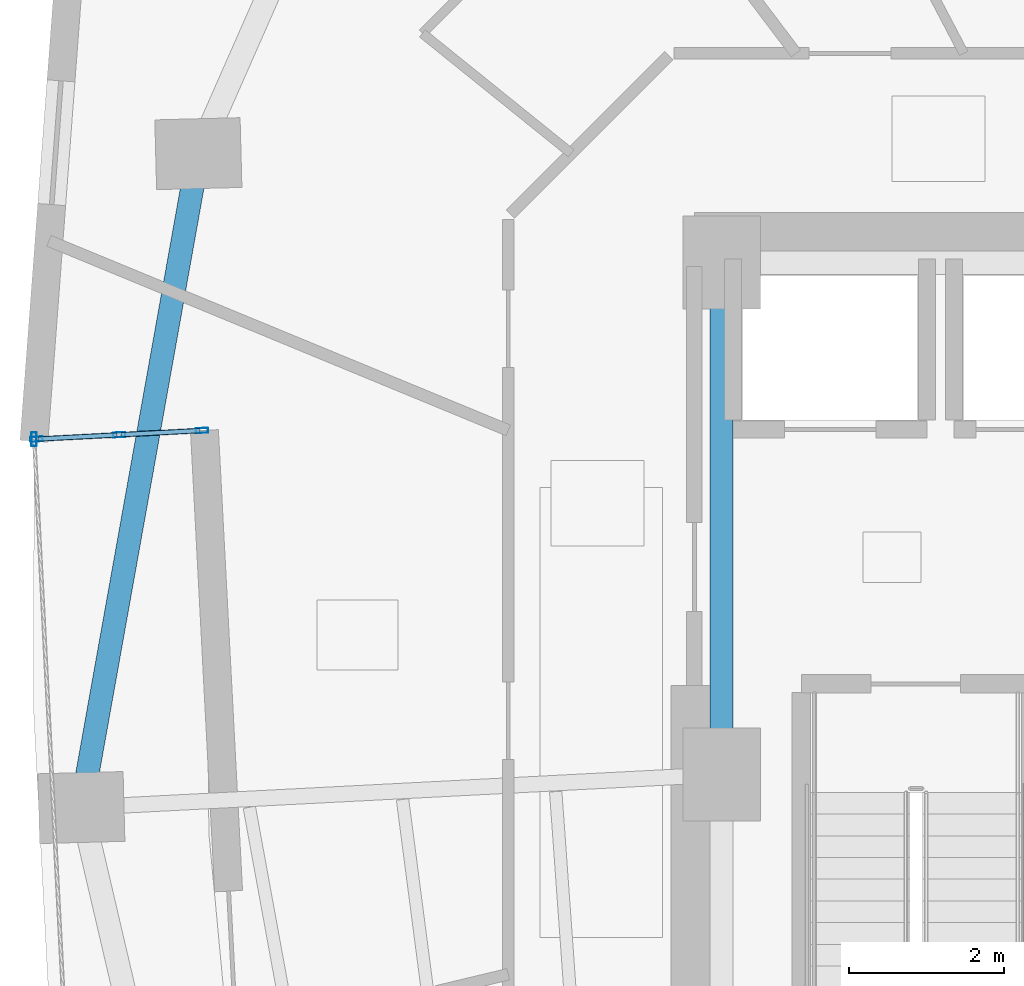
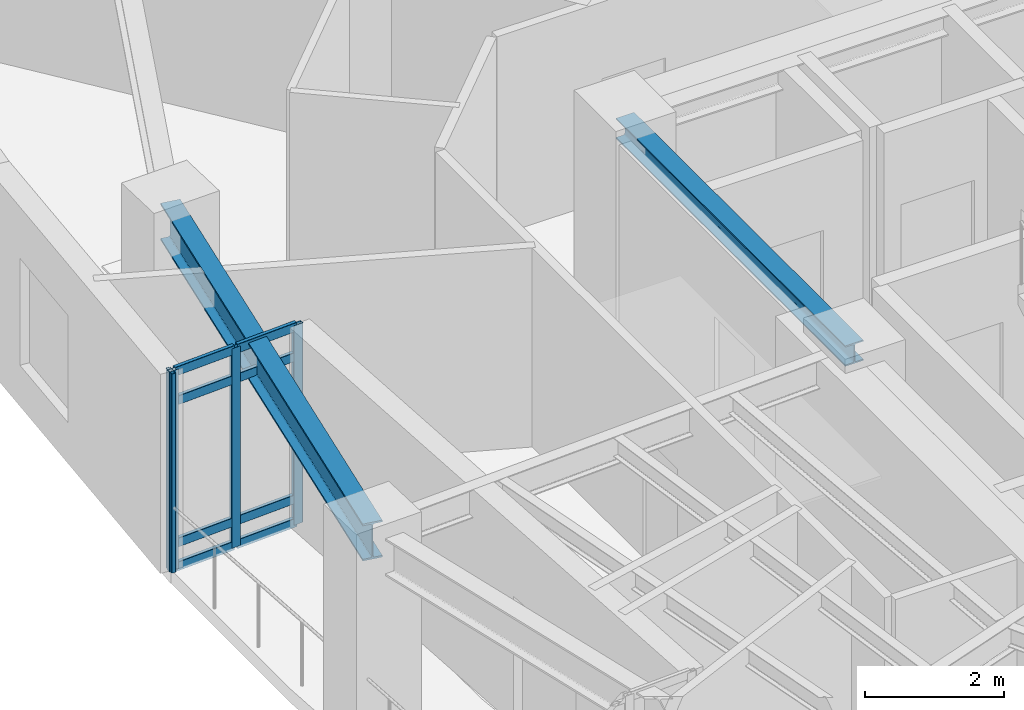
# One storey, part 3 of 12: 12 members, 2 beams, 1 element without a shape of its own.
"""IFC4 building model written with IfcOpenShell, lengths in metres."""

from ifc_helpers import new_model, si_unit, direction, frame, origin, origin_2d, place, context, subcontext, project, spatial, hollow_rectangle, i_section, extrude, material, layer, layer_set, material_profile, profile_set, type_object, element, aggregate, save


model = new_model("IFC4")

# Units and contexts
model_context = context("Model", 3, precision=1e-05, world=origin(), true_north=direction((0.0, 1.0)))
body_context = subcontext(model_context, "Body", "Model", "MODEL_VIEW")
ifc_project = project(units=[si_unit("LENGTHUNIT", "METRE"), si_unit("AREAUNIT", "SQUARE_METRE"), si_unit("VOLUMEUNIT", "CUBIC_METRE"), si_unit("PLANEANGLEUNIT", "RADIAN"), si_unit("MASSUNIT", "GRAM", prefix="KILO")], contexts=[model_context])

# Site, building, storey
site_placement = place(None, origin())
site = spatial("IfcSite", under=ifc_project, at=site_placement, CompositionType="ELEMENT")
building_placement = place(site_placement, origin())
building = spatial("IfcBuilding", under=site, at=building_placement, Name="Ndelora Gate Hotel", CompositionType="ELEMENT")
storey_placement = place(building_placement, frame((0.0, 0.0, 131.0)))
storey = spatial("IfcBuildingStorey", under=building, at=storey_placement, Name="L32", CompositionType="ELEMENT", Elevation=131.0)

# Beams
ifc_material_1 = material(Name="Steel S355", Category="steel")
ifc_material_profile_1 = material_profile(ifc_material_1, i_section(OverallWidth=0.300048828125, OverallDepth=0.360107421875, WebThickness=0.012451171875, FlangeThickness=0.0224609375, FilletRadius=0.027099609375, at=origin_2d()), Name="HEB 360")
ifc_profile_set_1 = profile_set([ifc_material_profile_1], Name="Steel S355")
beam_type_1 = type_object("IfcBeamType", Name="BM-CORE-360", PredefinedType="BEAM", material=ifc_profile_set_1)
beam_1_placement = place(storey_placement, frame((-8.0, 0.0, 3.320068359375), z_axis=(0.0, 1.0, 0.0), x_axis=(-1.0, 0.0, 0.0)))
element("IfcBeam", 1, at=beam_1_placement, inside=storey, type_object=beam_type_1, Name="L32 Core Tie Girder CC8-CC7", PredefinedType="BEAM", context=body_context, shape_type="SweptSolid", body=[
    extrude(i_section(OverallWidth=0.300048828125, OverallDepth=0.360107421875, WebThickness=0.012451171875, FlangeThickness=0.0224609375, FilletRadius=0.027099609375, at=origin_2d()), origin(), (0.0, 0.0, 1.0), 6.60009765625),
])
ifc_material_profile_2 = material_profile(ifc_material_1, i_section(OverallWidth=0.300048828125, OverallDepth=0.64990234375, WebThickness=0.01611328125, FlangeThickness=0.031005859375, FilletRadius=0.027099609375, at=origin_2d()), Name="HEB 650")
ifc_profile_set_2 = profile_set([ifc_material_profile_2], Name="Steel S355")
beam_type_2 = type_object("IfcBeamType", Name="BM-RING-650", PredefinedType="SPANDREL", material=ifc_profile_set_2)
beam_2_placement = place(storey_placement, frame((-14.74658203125, 8.006591796875, 3.175048828125), z_axis=(-0.176130938817, -0.984366746894, 0.0), x_axis=(0.984366746894, -0.176130938817, 0.0)))
element("IfcBeam", 2, at=beam_2_placement, inside=storey, type_object=beam_type_2, Name="L32 Perimeter Spandrel Girder 2", PredefinedType="SPANDREL", context=body_context, shape_type="SweptSolid", body=[
    extrude(i_section(OverallWidth=0.300048828125, OverallDepth=0.64990234375, WebThickness=0.01611328125, FlangeThickness=0.031005859375, FilletRadius=0.027099609375, at=origin_2d()), origin(), (0.0, 0.0, 1.0), 8.56640625),
])

# Curtain wall, members
ifc_material_2 = material(Name="Bronze Anodised Unitised Aluminium and Low-E Glass", Category="aluminium")
ifc_layer = layer(ifc_material_2, 0.199951171875)
ifc_layer_set = layer_set([ifc_layer], Name="Bronze Anodised Unitised Aluminium and Low-E Glass")
curtain_wall_type = type_object("IfcCurtainWallType", Name="CW-SYS-3", PredefinedType="NOTDEFINED", material=ifc_layer_set)
curtain_wall_placement = place(storey_placement, origin())
curtain_wall = element("IfcCurtainWall", 3, at=curtain_wall_placement, inside=storey, type_object=curtain_wall_type, Name="L32 Sky-Garden Loggia Side Curtain Wall CW3-1", PredefinedType="NOTDEFINED")
ifc_material_3 = material(Name="Bronze Anodised Aluminium 6063-T6", Category="aluminium")
ifc_material_profile_3 = material_profile(ifc_material_3, hollow_rectangle(XDim=0.06494140625, YDim=0.159912109375, WallThickness=0.00390625, InnerFilletRadius=0.00390625, OuterFilletRadius=0.008056640625, at=origin_2d()), Name="ALU 160x65x4")
ifc_profile_set_3 = profile_set([ifc_material_profile_3], Name="Bronze Anodised Aluminium 6063-T6")
member_type_1 = type_object("IfcMemberType", Name="MB-CW-MUL150", PredefinedType="MULLION", material=ifc_profile_set_3)
member_1_placement = place(storey_placement, frame((-14.700439453125, 4.436767578125, -0.00390625), z_axis=(0.0, 0.0, 1.0), x_axis=(0.052317873695, -0.998630482257, 0.0)))
member_1 = element("IfcMember", 4, at=member_1_placement, type_object=member_type_1, Name="CW3 mullion 1", PredefinedType="MULLION", context=body_context, shape_type="SweptSolid", body=[
    extrude(hollow_rectangle(XDim=0.06494140625, YDim=0.159912109375, WallThickness=0.00390625, InnerFilletRadius=0.00390625, OuterFilletRadius=0.008056640625, at=origin_2d()), origin(), (0.0, 0.0, 1.0), 3.5078125),
])
member_2_placement = place(storey_placement, frame((-15.7666015625, 4.380859375, -0.00390625), z_axis=(0.0, 0.0, 1.0), x_axis=(0.052317873695, -0.998630482257, 0.0)))
member_2 = element("IfcMember", 5, at=member_2_placement, type_object=member_type_1, Name="CW3 mullion 2", PredefinedType="MULLION", context=body_context, shape_type="SweptSolid", body=[
    extrude(hollow_rectangle(XDim=0.06494140625, YDim=0.159912109375, WallThickness=0.00390625, InnerFilletRadius=0.00390625, OuterFilletRadius=0.008056640625, at=origin_2d()), origin(), (0.0, 0.0, 1.0), 3.5078125),
])
member_3_placement = place(storey_placement, frame((-16.83251953125, 4.324951171875, -0.00390625), z_axis=(0.0, 0.0, 1.0), x_axis=(0.052317873695, -0.998630482257, 0.0)))
member_3 = element("IfcMember", 6, at=member_3_placement, type_object=member_type_1, Name="CW3 mullion 3", PredefinedType="MULLION", context=body_context, shape_type="SweptSolid", body=[
    extrude(hollow_rectangle(XDim=0.06494140625, YDim=0.159912109375, WallThickness=0.00390625, InnerFilletRadius=0.00390625, OuterFilletRadius=0.008056640625, at=origin_2d()), origin(), (0.0, 0.0, 1.0), 3.5078125),
])
ifc_material_profile_4 = material_profile(ifc_material_3, hollow_rectangle(XDim=0.070068359375, YDim=0.179931640625, WallThickness=0.0048828125, InnerFilletRadius=0.0048828125, OuterFilletRadius=0.010009765625, at=origin_2d()), Name="ALU 180x70x5")
ifc_profile_set_4 = profile_set([ifc_material_profile_4], Name="Bronze Anodised Aluminium 6063-T6")
member_type_2 = type_object("IfcMemberType", Name="MB-CW-MUL180", PredefinedType="MULLION", material=ifc_profile_set_4)
member_4_placement = place(storey_placement, frame((-16.864990234375, 4.3232421875, 0.0), z_axis=(0.0, 0.0, 1.0), x_axis=(1.0, 0.0, 0.0)))
member_4 = element("IfcMember", 7, at=member_4_placement, type_object=member_type_2, Name="L32 Sky-Garden Loggia Corner Mullion Post 1", PredefinedType="MULLION", context=body_context, shape_type="SweptSolid", body=[
    extrude(hollow_rectangle(XDim=0.070068359375, YDim=0.179931640625, WallThickness=0.0048828125, InnerFilletRadius=0.0048828125, OuterFilletRadius=0.010009765625, at=origin_2d()), origin(), (0.0, 0.0, 1.0), 3.5),
])
ifc_material_profile_5 = material_profile(ifc_material_3, hollow_rectangle(XDim=0.06494140625, YDim=0.159912109375, WallThickness=0.00390625, InnerFilletRadius=0.00390625, OuterFilletRadius=0.008056640625, at=origin_2d()), Name="ALU 160x65x4")
ifc_profile_set_5 = profile_set([ifc_material_profile_5], Name="Bronze Anodised Aluminium 6063-T6")
member_type_3 = type_object("IfcMemberType", Name="MB-CW-TRN150", PredefinedType="USERDEFINED", material=ifc_profile_set_5)
member_5_placement = place(storey_placement, frame((-14.726806640625, 4.435302734375, 0.032470703125), z_axis=(-0.998635719031, -0.052217819525, 0.0), x_axis=(0.052217819525, -0.998635719031, 0.0)))
member_5 = element("IfcMember", 8, at=member_5_placement, type_object=member_type_3, Name="CW3 transom 1.1", ObjectType="TRANSOM", PredefinedType="USERDEFINED", context=body_context, shape_type="SweptSolid", body=[
    extrude(hollow_rectangle(XDim=0.06494140625, YDim=0.159912109375, WallThickness=0.00390625, InnerFilletRadius=0.00390625, OuterFilletRadius=0.008056640625, at=origin_2d()), origin(), (0.0, 0.0, 1.0), 1.0146484375),
])
member_6_placement = place(storey_placement, frame((-14.726806640625, 4.435302734375, 0.449951171875), z_axis=(-0.998635719031, -0.052217819525, 0.0), x_axis=(0.052217819525, -0.998635719031, 0.0)))
member_6 = element("IfcMember", 9, at=member_6_placement, type_object=member_type_3, Name="CW3 transom 1.2", ObjectType="TRANSOM", PredefinedType="USERDEFINED", context=body_context, shape_type="SweptSolid", body=[
    extrude(hollow_rectangle(XDim=0.06494140625, YDim=0.159912109375, WallThickness=0.00390625, InnerFilletRadius=0.00390625, OuterFilletRadius=0.008056640625, at=origin_2d()), origin(), (0.0, 0.0, 1.0), 1.0146484375),
])
member_7_placement = place(storey_placement, frame((-14.726806640625, 4.435302734375, 2.949951171875), z_axis=(-0.998635719031, -0.052217819525, 0.0), x_axis=(0.052217819525, -0.998635719031, 0.0)))
member_7 = element("IfcMember", 10, at=member_7_placement, type_object=member_type_3, Name="CW3 transom 1.3", ObjectType="TRANSOM", PredefinedType="USERDEFINED", context=body_context, shape_type="SweptSolid", body=[
    extrude(hollow_rectangle(XDim=0.06494140625, YDim=0.159912109375, WallThickness=0.00390625, InnerFilletRadius=0.00390625, OuterFilletRadius=0.008056640625, at=origin_2d()), origin(), (0.0, 0.0, 1.0), 1.0146484375),
])
member_8_placement = place(storey_placement, frame((-14.726806640625, 4.435302734375, 3.467529296875), z_axis=(-0.998635719031, -0.052217819525, 0.0), x_axis=(0.052217819525, -0.998635719031, 0.0)))
member_8 = element("IfcMember", 11, at=member_8_placement, type_object=member_type_3, Name="CW3 transom 1.4", ObjectType="TRANSOM", PredefinedType="USERDEFINED", context=body_context, shape_type="SweptSolid", body=[
    extrude(hollow_rectangle(XDim=0.06494140625, YDim=0.159912109375, WallThickness=0.00390625, InnerFilletRadius=0.00390625, OuterFilletRadius=0.008056640625, at=origin_2d()), origin(), (0.0, 0.0, 1.0), 1.0146484375),
])
member_9_placement = place(storey_placement, frame((-15.79296875, 4.37939453125, 0.032470703125), z_axis=(-0.998635719031, -0.052217819525, 0.0), x_axis=(0.052217819525, -0.998635719031, 0.0)))
member_9 = element("IfcMember", 12, at=member_9_placement, type_object=member_type_3, Name="CW3 transom 2.1", ObjectType="TRANSOM", PredefinedType="USERDEFINED", context=body_context, shape_type="SweptSolid", body=[
    extrude(hollow_rectangle(XDim=0.06494140625, YDim=0.159912109375, WallThickness=0.00390625, InnerFilletRadius=0.00390625, OuterFilletRadius=0.008056640625, at=origin_2d()), origin(), (0.0, 0.0, 1.0), 1.0146484375),
])
member_10_placement = place(storey_placement, frame((-15.79296875, 4.37939453125, 0.449951171875), z_axis=(-0.998635719031, -0.052217819525, 0.0), x_axis=(0.052217819525, -0.998635719031, 0.0)))
member_10 = element("IfcMember", 13, at=member_10_placement, type_object=member_type_3, Name="CW3 transom 2.2", ObjectType="TRANSOM", PredefinedType="USERDEFINED", context=body_context, shape_type="SweptSolid", body=[
    extrude(hollow_rectangle(XDim=0.06494140625, YDim=0.159912109375, WallThickness=0.00390625, InnerFilletRadius=0.00390625, OuterFilletRadius=0.008056640625, at=origin_2d()), origin(), (0.0, 0.0, 1.0), 1.0146484375),
])
member_11_placement = place(storey_placement, frame((-15.79296875, 4.37939453125, 2.949951171875), z_axis=(-0.998635719031, -0.052217819525, 0.0), x_axis=(0.052217819525, -0.998635719031, 0.0)))
member_11 = element("IfcMember", 14, at=member_11_placement, type_object=member_type_3, Name="CW3 transom 2.3", ObjectType="TRANSOM", PredefinedType="USERDEFINED", context=body_context, shape_type="SweptSolid", body=[
    extrude(hollow_rectangle(XDim=0.06494140625, YDim=0.159912109375, WallThickness=0.00390625, InnerFilletRadius=0.00390625, OuterFilletRadius=0.008056640625, at=origin_2d()), origin(), (0.0, 0.0, 1.0), 1.0146484375),
])
member_12_placement = place(storey_placement, frame((-15.79296875, 4.37939453125, 3.467529296875), z_axis=(-0.998635719031, -0.052217819525, 0.0), x_axis=(0.052217819525, -0.998635719031, 0.0)))
member_12 = element("IfcMember", 15, at=member_12_placement, type_object=member_type_3, Name="CW3 transom 2.4", ObjectType="TRANSOM", PredefinedType="USERDEFINED", context=body_context, shape_type="SweptSolid", body=[
    extrude(hollow_rectangle(XDim=0.06494140625, YDim=0.159912109375, WallThickness=0.00390625, InnerFilletRadius=0.00390625, OuterFilletRadius=0.008056640625, at=origin_2d()), origin(), (0.0, 0.0, 1.0), 1.0146484375),
])
aggregate(curtain_wall, [member_1, member_2, member_3, member_5, member_6, member_7, member_8, member_9, member_10, member_11, member_12, member_4])

save(model, "model.ifc")
